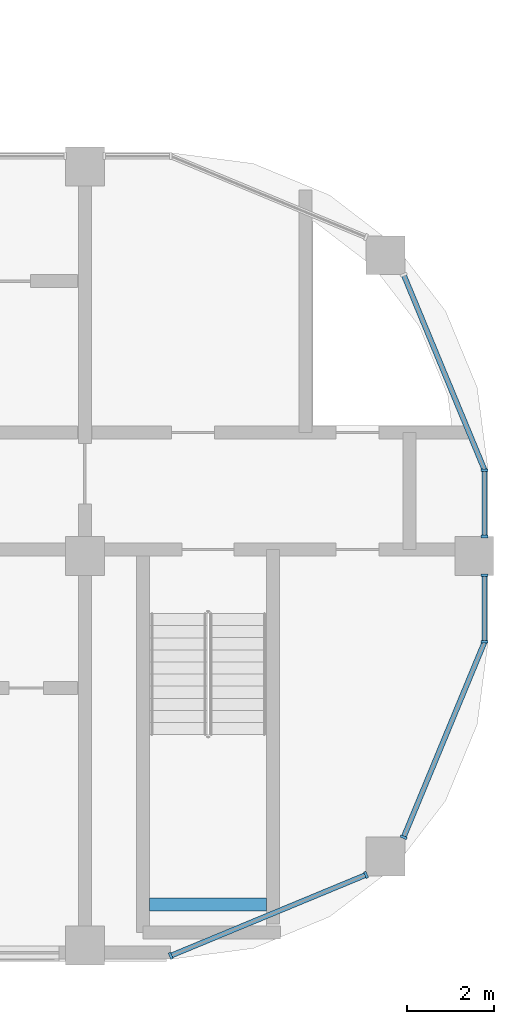
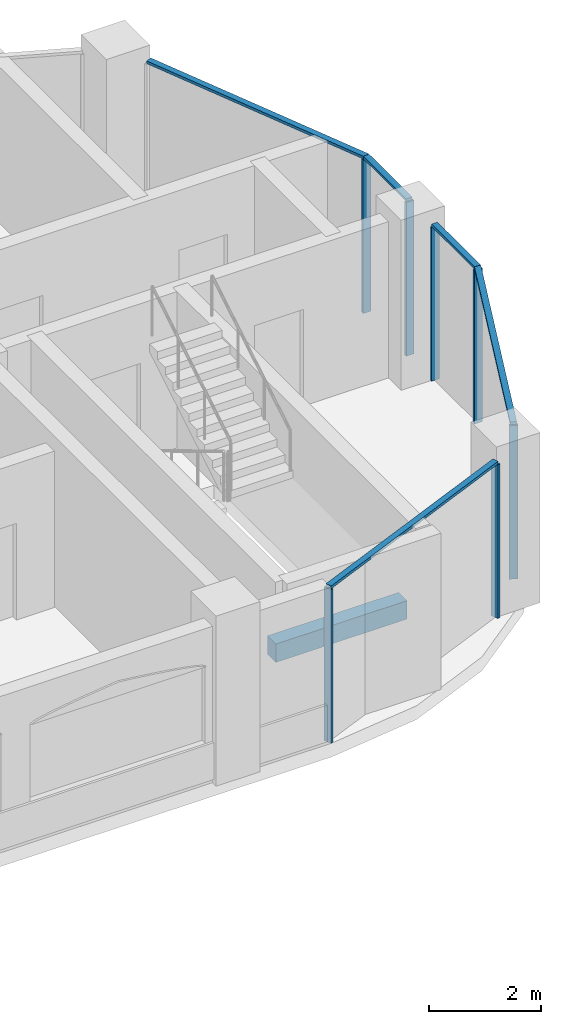
# One storey, part 3 of 17: 12 members, 1 beam, 5 elements without a shape of their own.
"""IFC4 building model written with IfcOpenShell, lengths in metres."""

from ifc_helpers import new_model, si_unit, direction, frame, origin, origin_2d, place, context, subcontext, project, spatial, rectangle, extrude, material, material_profile, profile_set, type_object, element, aggregate, save


model = new_model("IFC4")

# Units and contexts
model_context = context("Model", 3, precision=1e-05, world=origin(), true_north=direction((0.0, 1.0)))
body_context = subcontext(model_context, "Body", "Model", "MODEL_VIEW")
ifc_project = project(units=[si_unit("LENGTHUNIT", "METRE"), si_unit("AREAUNIT", "SQUARE_METRE"), si_unit("VOLUMEUNIT", "CUBIC_METRE"), si_unit("PLANEANGLEUNIT", "RADIAN"), si_unit("MASSUNIT", "GRAM", prefix="KILO")], contexts=[model_context])

# Site, building, storey
site_placement = place(None, origin())
site = spatial("IfcSite", under=ifc_project, at=site_placement, CompositionType="ELEMENT")
building_placement = place(site_placement, origin())
building = spatial("IfcBuilding", under=site, at=building_placement, Name="Ogive Portal Towers", CompositionType="ELEMENT")
storey_placement = place(building_placement, frame((0.0, 0.0, 221.699951171875)))
storey = spatial("IfcBuildingStorey", under=building, at=storey_placement, Name="L55", CompositionType="ELEMENT", Elevation=221.699951171875)

# Beam
ifc_material_1 = material(Name="Concrete C40/50", Category="concrete")
ifc_material_profile_1 = material_profile(ifc_material_1, rectangle(XDim=0.300048828125, YDim=0.39990234375, at=origin_2d()), Name="RC 300x400")
ifc_profile_set_1 = profile_set([ifc_material_profile_1], Name="Concrete C40/50")
beam_type = type_object("IfcBeamType", Name="BEAM RC 300x400", PredefinedType="BEAM", material=ifc_profile_set_1)
beam_placement = place(storey_placement, frame((87.0, 22.449951171875, 1.449951171875), z_axis=(1.0, 0.0, 0.0), x_axis=(0.0, 1.0, 0.0)))
element("IfcBeam", 1, at=beam_placement, inside=storey, type_object=beam_type, Name="Landing beam L55", PredefinedType="BEAM", context=body_context, shape_type="SweptSolid", body=[
    extrude(rectangle(XDim=0.300048828125, YDim=0.39990234375, at=origin_2d()), origin(), (0.0, 0.0, 1.0), 2.699951171875),
])

# Curtain wall, members
ifc_material_2 = material(Name="Glass, clear low-iron insulated glazing", Category="glass")
curtain_wall_type = type_object("IfcCurtainWallType", Name="CW FRONT RIBBON 4500", PredefinedType="NOTDEFINED", material=ifc_material_2)
curtain_wall_1_placement = place(storey_placement, origin())
curtain_wall_1 = element("IfcCurtainWall", 2, at=curtain_wall_1_placement, inside=storey, type_object=curtain_wall_type, Name="A:L55:f23:cw0~0", PredefinedType="NOTDEFINED")
ifc_material_3 = material(Name="Aluminium 6063 anodised", Category="aluminium")
ifc_material_profile_2 = material_profile(ifc_material_3, rectangle(XDim=0.159912109375, YDim=0.06005859375, at=origin_2d()), Name="AL 60x160")
ifc_profile_set_2 = profile_set([ifc_material_profile_2], Name="Aluminium 6063 anodised")
member_type_1 = type_object("IfcMemberType", Name="CW MULLION 60x160", PredefinedType="MULLION", material=ifc_profile_set_2)
member_1_placement = place(storey_placement, frame((94.739990234375, 28.515869140625, 0.0), z_axis=(0.0, 0.0, 1.0), x_axis=(-1.0, 0.0, 0.0)))
member_1 = element("IfcMember", 3, at=member_1_placement, type_object=member_type_1, Name="mullion", PredefinedType="MULLION", context=body_context, shape_type="SweptSolid", body=[
    extrude(rectangle(XDim=0.159912109375, YDim=0.06005859375, at=origin_2d()), origin(), (0.0, 0.0, 1.0), 3.340087890625),
])
member_2_placement = place(storey_placement, frame((94.739990234375, 30.050048828125, 0.0), z_axis=(0.0, 0.0, 1.0), x_axis=(-1.0, 0.0, 0.0)))
member_2 = element("IfcMember", 4, at=member_2_placement, type_object=member_type_1, Name="mullion", PredefinedType="MULLION", context=body_context, shape_type="SweptSolid", body=[
    extrude(rectangle(XDim=0.159912109375, YDim=0.06005859375, at=origin_2d()), origin(), (0.0, 0.0, 1.0), 3.340087890625),
])

curtain_wall_2_placement = place(storey_placement, origin())
curtain_wall_2 = element("IfcCurtainWall", 5, at=curtain_wall_2_placement, inside=storey, type_object=curtain_wall_type, Name="A:L55:f23:cw0~1", PredefinedType="NOTDEFINED")
member_3_placement = place(storey_placement, frame((94.739990234375, 30.949951171875, 0.0), z_axis=(0.0, 0.0, 1.0), x_axis=(-1.0, 0.0, 0.0)))
member_3 = element("IfcMember", 6, at=member_3_placement, type_object=member_type_1, Name="mullion", PredefinedType="MULLION", context=body_context, shape_type="SweptSolid", body=[
    extrude(rectangle(XDim=0.159912109375, YDim=0.06005859375, at=origin_2d()), origin(), (0.0, 0.0, 1.0), 3.340087890625),
])
member_4_placement = place(storey_placement, frame((94.739990234375, 32.484130859375, 0.0), z_axis=(0.0, 0.0, 1.0), x_axis=(-1.0, 0.0, 0.0)))
member_4 = element("IfcMember", 7, at=member_4_placement, type_object=member_type_1, Name="mullion", PredefinedType="MULLION", context=body_context, shape_type="SweptSolid", body=[
    extrude(rectangle(XDim=0.159912109375, YDim=0.06005859375, at=origin_2d()), origin(), (0.0, 0.0, 1.0), 3.340087890625),
])

curtain_wall_3_placement = place(storey_placement, origin())
curtain_wall_3 = element("IfcCurtainWall", 8, at=curtain_wall_3_placement, inside=storey, type_object=curtain_wall_type, Name="A:L55:f21:cwa~0", PredefinedType="NOTDEFINED")
member_5_placement = place(storey_placement, frame((87.484130859375, 21.260009765625, 0.0), z_axis=(0.0, 0.0, 1.0), x_axis=(-0.382683432365, 0.923879532511, 0.0)))
member_5 = element("IfcMember", 9, at=member_5_placement, type_object=member_type_1, Name="mullion", PredefinedType="MULLION", context=body_context, shape_type="SweptSolid", body=[
    extrude(rectangle(XDim=0.159912109375, YDim=0.06005859375, at=origin_2d()), origin(), (0.0, 0.0, 1.0), 3.340087890625),
])
member_6_placement = place(storey_placement, frame((92.0, 23.130615234375, 0.0), z_axis=(0.0, 0.0, 1.0), x_axis=(-0.382683432365, 0.923879532511, 0.0)))
member_6 = element("IfcMember", 10, at=member_6_placement, type_object=member_type_1, Name="mullion", PredefinedType="MULLION", context=body_context, shape_type="SweptSolid", body=[
    extrude(rectangle(XDim=0.159912109375, YDim=0.06005859375, at=origin_2d()), origin(), (0.0, 0.0, 1.0), 3.340087890625),
])

# Curtain wall, member
curtain_wall_4_placement = place(storey_placement, origin())
curtain_wall_4 = element("IfcCurtainWall", 11, at=curtain_wall_4_placement, inside=storey, type_object=curtain_wall_type, Name="A:L55:f21:cwa~1", PredefinedType="NOTDEFINED")
member_7_placement = place(storey_placement, frame((92.869384765625, 24.0, 0.0), z_axis=(0.0, 0.0, 1.0), x_axis=(-0.923879532511, 0.382683432365, 0.0)))
member_7 = element("IfcMember", 12, at=member_7_placement, type_object=member_type_1, Name="mullion", PredefinedType="MULLION", context=body_context, shape_type="SweptSolid", body=[
    extrude(rectangle(XDim=0.159912109375, YDim=0.06005859375, at=origin_2d()), origin(), (0.0, 0.0, 1.0), 3.340087890625),
])

# Member
ifc_material_profile_3 = material_profile(ifc_material_3, rectangle(XDim=0.1201171875, YDim=0.06005859375, at=origin_2d()), Name="AL 120x60")
ifc_profile_set_3 = profile_set([ifc_material_profile_3], Name="Aluminium 6063 anodised")
member_type_2 = type_object("IfcMemberType", Name="CW TRANSOM 60x120", PredefinedType="USERDEFINED", material=ifc_profile_set_3)
member_8_placement = place(storey_placement, frame((94.739990234375, 28.515869140625, 3.3701171875), z_axis=(0.0, 1.0, 0.0), x_axis=(-1.0, 0.0, 0.0)))
member_8 = element("IfcMember", 13, at=member_8_placement, type_object=member_type_2, Name="transom", ObjectType="TRANSOM", PredefinedType="USERDEFINED", context=body_context, shape_type="SweptSolid", body=[
    extrude(rectangle(XDim=0.1201171875, YDim=0.06005859375, at=origin_2d()), origin(), (0.0, 0.0, 1.0), 1.5341796875),
])

aggregate(curtain_wall_1, [member_8, member_1, member_2])

member_9_placement = place(storey_placement, frame((94.739990234375, 30.949951171875, 3.3701171875), z_axis=(0.0, 1.0, 0.0), x_axis=(-1.0, 0.0, 0.0)))
member_9 = element("IfcMember", 14, at=member_9_placement, type_object=member_type_2, Name="transom", ObjectType="TRANSOM", PredefinedType="USERDEFINED", context=body_context, shape_type="SweptSolid", body=[
    extrude(rectangle(XDim=0.1201171875, YDim=0.06005859375, at=origin_2d()), origin(), (0.0, 0.0, 1.0), 1.5341796875),
])

aggregate(curtain_wall_2, [member_9, member_3, member_4])

member_10_placement = place(storey_placement, frame((87.484130859375, 21.260009765625, 3.3701171875), z_axis=(0.923874380641, 0.382695869842, 0.0), x_axis=(-0.382695869842, 0.923874380641, 0.0)))
member_10 = element("IfcMember", 15, at=member_10_placement, type_object=member_type_2, Name="transom", ObjectType="TRANSOM", PredefinedType="USERDEFINED", context=body_context, shape_type="SweptSolid", body=[
    extrude(rectangle(XDim=0.1201171875, YDim=0.06005859375, at=origin_2d()), origin(), (0.0, 0.0, 1.0), 4.887939453125),
])

aggregate(curtain_wall_3, [member_10, member_5, member_6])

member_11_placement = place(storey_placement, frame((92.869384765625, 24.0, 3.3701171875), z_axis=(0.382695869842, 0.923874380641, 0.0), x_axis=(-0.923874380641, 0.382695869842, 0.0)))
member_11 = element("IfcMember", 16, at=member_11_placement, type_object=member_type_2, Name="transom", ObjectType="TRANSOM", PredefinedType="USERDEFINED", context=body_context, shape_type="SweptSolid", body=[
    extrude(rectangle(XDim=0.1201171875, YDim=0.06005859375, at=origin_2d()), origin(), (0.0, 0.0, 1.0), 4.887939453125),
])

aggregate(curtain_wall_4, [member_11, member_7])

# Curtain wall, member
curtain_wall_5_placement = place(storey_placement, origin())
curtain_wall_5 = element("IfcCurtainWall", 17, at=curtain_wall_5_placement, inside=storey, type_object=curtain_wall_type, Name="A:L55:f24:cwa~0", PredefinedType="NOTDEFINED")
member_12_placement = place(storey_placement, frame((94.739990234375, 32.484130859375, 3.3701171875), z_axis=(-0.382695869842, 0.923874380641, 0.0), x_axis=(-0.923874380641, -0.382695869842, 0.0)))
member_12 = element("IfcMember", 18, at=member_12_placement, type_object=member_type_2, Name="transom", ObjectType="TRANSOM", PredefinedType="USERDEFINED", context=body_context, shape_type="SweptSolid", body=[
    extrude(rectangle(XDim=0.1201171875, YDim=0.06005859375, at=origin_2d()), origin(), (0.0, 0.0, 1.0), 4.887939453125),
])
aggregate(curtain_wall_5, [member_12])

save(model, "model.ifc")
